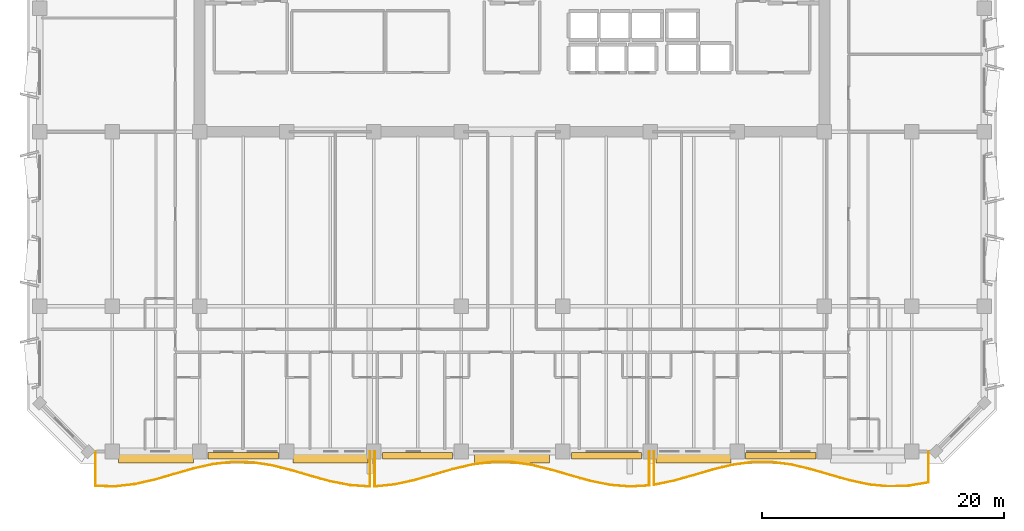
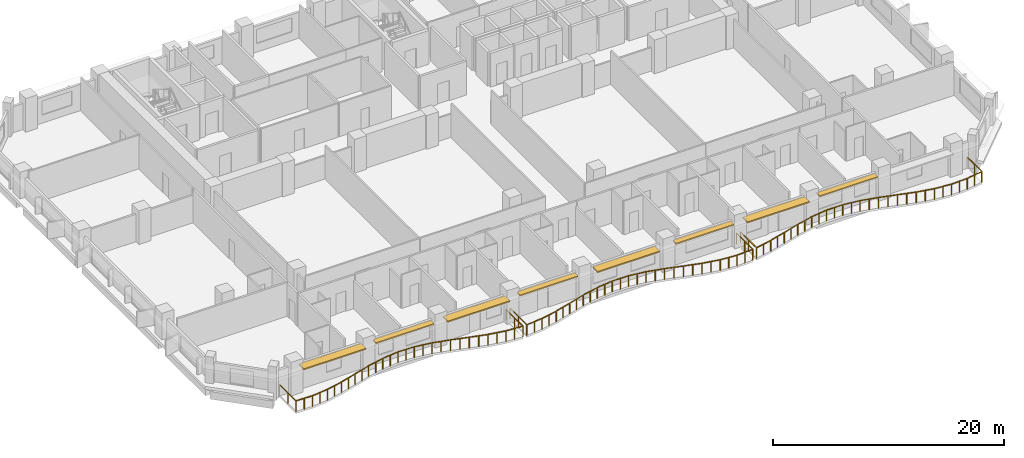
# One storey, part 11 of 15: 8 shading devices, 3 railings.
"""IFC4 building model written with IfcOpenShell, lengths in metres."""

from ifc_helpers import new_model, si_unit, direction, frame, origin, origin_2d, place, context, subcontext, project, spatial, rectangle, extrude, material, layer, layer_set, type_object, element, save


model = new_model("IFC4")

# Units and contexts
model_context = context("Model", 3, precision=1e-05, world=origin(), true_north=direction((0.0, 1.0)))
body_context = subcontext(model_context, "Body", "Model", "MODEL_VIEW")
ifc_project = project(units=[si_unit("LENGTHUNIT", "METRE"), si_unit("AREAUNIT", "SQUARE_METRE"), si_unit("VOLUMEUNIT", "CUBIC_METRE"), si_unit("PLANEANGLEUNIT", "RADIAN"), si_unit("MASSUNIT", "GRAM", prefix="KILO")], contexts=[model_context])

# Site, building, storey
site_placement = place(None, origin())
site = spatial("IfcSite", under=ifc_project, at=site_placement, CompositionType="ELEMENT")
building_placement = place(site_placement, origin())
building = spatial("IfcBuilding", under=site, at=building_placement, Name="Kaelvorn Grand Hotel", CompositionType="ELEMENT")
storey_placement = place(building_placement, frame((0.0, 0.0, 142.949951171875)))
storey = spatial("IfcBuildingStorey", under=building, at=storey_placement, Name="L34", CompositionType="ELEMENT", Elevation=142.949951171875)

# Railings
ifc_material_1 = material(Name="Stainless Steel", Category="steel")
railing_type = type_object("IfcRailingType", Name="RL-BALC-1150", PredefinedType="BALUSTRADE", material=ifc_material_1)
railing_1_placement = place(storey_placement, frame((7.60009765625, 3.0, 0.0)))
element("IfcRailing", 1, at=railing_1_placement, inside=storey, type_object=railing_type, Name="L34 Scalloped Wave Balcony Balustrade GR1-1", PredefinedType="BALUSTRADE", context=body_context, shape_type="SweptSolid", body=[
    extrude(rectangle(XDim=0.048095703125, YDim=0.048095703125, at=origin_2d()), frame((0.0, 0.0, 1.1259765625), z_axis=(0.0, -1.0, 0.0), x_axis=(1.0, 0.0, 0.0)), (0.0, 0.0, 1.0), 2.849853515625),
    extrude(rectangle(XDim=0.048095703125, YDim=0.048095703125, at=origin_2d()), frame((0.0, -2.849853515625, 1.1259765625), z_axis=(0.999730426156, -0.023217989086, 0.0), x_axis=(0.023217989086, 0.999730426156, 0.0)), (0.0, 0.0, 1.0), 1.619384765625),
    extrude(rectangle(XDim=0.048095703125, YDim=0.048095703125, at=origin_2d()), frame((1.618896484375, -2.887451171875, 1.1259765625), z_axis=(0.993682951912, 0.112223843634, 0.0), x_axis=(-0.112223843634, 0.993682951912, 0.0)), (0.0, 0.0, 1.0), 1.62939453125),
    extrude(rectangle(XDim=0.048095703125, YDim=0.048095703125, at=origin_2d()), frame((3.238037109375, -2.70458984375, 1.1259765625), z_axis=(0.975703414812, 0.219095518723, 0.0), x_axis=(-0.219095518723, 0.975703414812, 0.0)), (0.0, 0.0, 1.0), 1.6591796875),
    extrude(rectangle(XDim=0.048095703125, YDim=0.048095703125, at=origin_2d()), frame((4.85693359375, -2.341064453125, 1.1259765625), z_axis=(0.961173148549, 0.275945970271, 0.0), x_axis=(-0.275945970271, 0.961173148549, 0.0)), (0.0, 0.0, 1.0), 1.6845703125),
    extrude(rectangle(XDim=0.048095703125, YDim=0.048095703125, at=origin_2d()), frame((6.47607421875, -1.876220703125, 1.1259765625), z_axis=(0.961096237506, 0.276213725676, 0.0), x_axis=(-0.276213725676, 0.961096237506, 0.0)), (0.0, 0.0, 1.0), 1.6845703125),
    extrude(rectangle(XDim=0.048095703125, YDim=0.048095703125, at=origin_2d()), frame((8.09521484375, -1.410888671875, 1.1259765625), z_axis=(0.975640468592, 0.219375650531, 0.0), x_axis=(-0.219375650531, 0.975640468592, 0.0)), (0.0, 0.0, 1.0), 1.659423828125),
    extrude(rectangle(XDim=0.048095703125, YDim=0.048095703125, at=origin_2d()), frame((9.714111328125, -1.046875, 1.1259765625), z_axis=(0.993615946407, 0.112815562069, 0.0), x_axis=(-0.112815562069, 0.993615946407, 0.0)), (0.0, 0.0, 1.0), 1.629638671875),
    extrude(rectangle(XDim=0.048095703125, YDim=0.048095703125, at=origin_2d()), frame((11.333251953125, -0.863037109375, 1.1259765625), z_axis=(0.999747716334, -0.022461159489, 0.0), x_axis=(0.022461159489, 0.999747716334, 0.0)), (0.0, 0.0, 1.0), 1.61962890625),
    extrude(rectangle(XDim=0.048095703125, YDim=0.048095703125, at=origin_2d()), frame((12.952392578125, -0.8994140625, 1.1259765625), z_axis=(0.988375143725, -0.152034783079, 0.0), x_axis=(0.152034783079, 0.988375143725, 0.0)), (0.0, 0.0, 1.0), 1.637939453125),
    extrude(rectangle(XDim=0.048095703125, YDim=0.048095703125, at=origin_2d()), frame((14.5712890625, -1.1484375, 1.1259765625), z_axis=(0.969797453299, -0.243911663465, 0.0), x_axis=(0.243911663465, 0.969797453299, 0.0)), (0.0, 0.0, 1.0), 1.669677734375),
    extrude(rectangle(XDim=0.048095703125, YDim=0.048095703125, at=origin_2d()), frame((16.1904296875, -1.5556640625, 1.1259765625), z_axis=(0.959298669037, -0.28239345528, 0.0), x_axis=(0.28239345528, 0.959298669037, 0.0)), (0.0, 0.0, 1.0), 1.6875),
    extrude(rectangle(XDim=0.048095703125, YDim=0.048095703125, at=origin_2d()), frame((17.809326171875, -2.0322265625, 1.1259765625), z_axis=(0.964642881797, -0.26356044961, 0.0), x_axis=(0.26356044961, 0.964642881797, 0.0)), (0.0, 0.0, 1.0), 1.678466796875),
    extrude(rectangle(XDim=0.048095703125, YDim=0.048095703125, at=origin_2d()), frame((19.428466796875, -2.474609375, 1.1259765625), z_axis=(0.981934563665, -0.189220804036, 0.0), x_axis=(0.189220804036, 0.981934563665, 0.0)), (0.0, 0.0, 1.0), 1.64892578125),
    extrude(rectangle(XDim=0.048095703125, YDim=0.048095703125, at=origin_2d()), frame((21.047607421875, -2.78662109375, 1.1259765625), z_axis=(0.997560748311, -0.069803677758, 0.0), x_axis=(0.069803677758, 0.997560748311, 0.0)), (0.0, 0.0, 1.0), 1.622802734375),
    extrude(rectangle(XDim=0.048095703125, YDim=0.048095703125, at=origin_2d()), frame((22.66650390625, -2.89990234375, 1.1259765625), z_axis=(0.0, 1.0, 0.0), x_axis=(-1.0, 0.0, 0.0)), (0.0, 0.0, 1.0), 2.89990234375),
    extrude(rectangle(XDim=0.0419921875, YDim=0.0419921875, at=origin_2d()), origin(), (0.0, 0.0, 1.0), 1.101806640625),
    extrude(rectangle(XDim=0.0419921875, YDim=0.0419921875, at=origin_2d()), frame((0.0, -1.4248046875, 0.0)), (0.0, 0.0, 1.0), 1.101806640625),
    extrude(rectangle(XDim=0.0419921875, YDim=0.0419921875, at=origin_2d()), frame((0.0, -2.849853515625, 0.0)), (0.0, 0.0, 1.0), 1.101806640625),
    extrude(rectangle(XDim=0.0419921875, YDim=0.0419921875, at=origin_2d()), frame((0.8095703125, -2.86865234375, 0.0)), (0.0, 0.0, 1.0), 1.101806640625),
    extrude(rectangle(XDim=0.0419921875, YDim=0.0419921875, at=origin_2d()), frame((1.618896484375, -2.887451171875, 0.0)), (0.0, 0.0, 1.0), 1.101806640625),
    extrude(rectangle(XDim=0.0419921875, YDim=0.0419921875, at=origin_2d()), frame((2.428466796875, -2.7958984375, 0.0)), (0.0, 0.0, 1.0), 1.101806640625),
    extrude(rectangle(XDim=0.0419921875, YDim=0.0419921875, at=origin_2d()), frame((3.238037109375, -2.70458984375, 0.0)), (0.0, 0.0, 1.0), 1.101806640625),
    extrude(rectangle(XDim=0.0419921875, YDim=0.0419921875, at=origin_2d()), frame((4.04736328125, -2.52294921875, 0.0)), (0.0, 0.0, 1.0), 1.101806640625),
    extrude(rectangle(XDim=0.0419921875, YDim=0.0419921875, at=origin_2d()), frame((4.85693359375, -2.341064453125, 0.0)), (0.0, 0.0, 1.0), 1.101806640625),
    extrude(rectangle(XDim=0.0419921875, YDim=0.0419921875, at=origin_2d()), frame((5.66650390625, -2.108642578125, 0.0)), (0.0, 0.0, 1.0), 1.101806640625),
    extrude(rectangle(XDim=0.0419921875, YDim=0.0419921875, at=origin_2d()), frame((6.47607421875, -1.876220703125, 0.0)), (0.0, 0.0, 1.0), 1.101806640625),
    extrude(rectangle(XDim=0.0419921875, YDim=0.0419921875, at=origin_2d()), frame((7.28564453125, -1.6435546875, 0.0)), (0.0, 0.0, 1.0), 1.101806640625),
    extrude(rectangle(XDim=0.0419921875, YDim=0.0419921875, at=origin_2d()), frame((8.09521484375, -1.410888671875, 0.0)), (0.0, 0.0, 1.0), 1.101806640625),
    extrude(rectangle(XDim=0.0419921875, YDim=0.0419921875, at=origin_2d()), frame((8.90478515625, -1.22900390625, 0.0)), (0.0, 0.0, 1.0), 1.101806640625),
    extrude(rectangle(XDim=0.0419921875, YDim=0.0419921875, at=origin_2d()), frame((9.714111328125, -1.046875, 0.0)), (0.0, 0.0, 1.0), 1.101806640625),
    extrude(rectangle(XDim=0.0419921875, YDim=0.0419921875, at=origin_2d()), frame((10.523681640625, -0.955078125, 0.0)), (0.0, 0.0, 1.0), 1.101806640625),
    extrude(rectangle(XDim=0.0419921875, YDim=0.0419921875, at=origin_2d()), frame((11.333251953125, -0.863037109375, 0.0)), (0.0, 0.0, 1.0), 1.101806640625),
    extrude(rectangle(XDim=0.0419921875, YDim=0.0419921875, at=origin_2d()), frame((12.142822265625, -0.88134765625, 0.0)), (0.0, 0.0, 1.0), 1.101806640625),
    extrude(rectangle(XDim=0.0419921875, YDim=0.0419921875, at=origin_2d()), frame((12.952392578125, -0.8994140625, 0.0)), (0.0, 0.0, 1.0), 1.101806640625),
    extrude(rectangle(XDim=0.0419921875, YDim=0.0419921875, at=origin_2d()), frame((13.76171875, -1.02392578125, 0.0)), (0.0, 0.0, 1.0), 1.101806640625),
    extrude(rectangle(XDim=0.0419921875, YDim=0.0419921875, at=origin_2d()), frame((14.5712890625, -1.1484375, 0.0)), (0.0, 0.0, 1.0), 1.101806640625),
    extrude(rectangle(XDim=0.0419921875, YDim=0.0419921875, at=origin_2d()), frame((15.380859375, -1.35205078125, 0.0)), (0.0, 0.0, 1.0), 1.101806640625),
    extrude(rectangle(XDim=0.0419921875, YDim=0.0419921875, at=origin_2d()), frame((16.1904296875, -1.5556640625, 0.0)), (0.0, 0.0, 1.0), 1.101806640625),
    extrude(rectangle(XDim=0.0419921875, YDim=0.0419921875, at=origin_2d()), frame((17.0, -1.7939453125, 0.0)), (0.0, 0.0, 1.0), 1.101806640625),
    extrude(rectangle(XDim=0.0419921875, YDim=0.0419921875, at=origin_2d()), frame((17.809326171875, -2.0322265625, 0.0)), (0.0, 0.0, 1.0), 1.101806640625),
    extrude(rectangle(XDim=0.0419921875, YDim=0.0419921875, at=origin_2d()), frame((18.618896484375, -2.25341796875, 0.0)), (0.0, 0.0, 1.0), 1.101806640625),
    extrude(rectangle(XDim=0.0419921875, YDim=0.0419921875, at=origin_2d()), frame((19.428466796875, -2.474609375, 0.0)), (0.0, 0.0, 1.0), 1.101806640625),
    extrude(rectangle(XDim=0.0419921875, YDim=0.0419921875, at=origin_2d()), frame((20.238037109375, -2.630615234375, 0.0)), (0.0, 0.0, 1.0), 1.101806640625),
    extrude(rectangle(XDim=0.0419921875, YDim=0.0419921875, at=origin_2d()), frame((21.047607421875, -2.78662109375, 0.0)), (0.0, 0.0, 1.0), 1.101806640625),
    extrude(rectangle(XDim=0.0419921875, YDim=0.0419921875, at=origin_2d()), frame((21.85693359375, -2.84326171875, 0.0)), (0.0, 0.0, 1.0), 1.101806640625),
    extrude(rectangle(XDim=0.0419921875, YDim=0.0419921875, at=origin_2d()), frame((22.66650390625, -2.89990234375, 0.0)), (0.0, 0.0, 1.0), 1.101806640625),
    extrude(rectangle(XDim=0.0419921875, YDim=0.0419921875, at=origin_2d()), frame((22.66650390625, -1.449951171875, 0.0)), (0.0, 0.0, 1.0), 1.101806640625),
    extrude(rectangle(XDim=0.0419921875, YDim=0.0419921875, at=origin_2d()), frame((22.66650390625, 0.0, 0.0)), (0.0, 0.0, 1.0), 1.101806640625),
])
railing_2_placement = place(storey_placement, frame((30.666748046875, 3.0, 0.0)))
element("IfcRailing", 2, at=railing_2_placement, inside=storey, type_object=railing_type, Name="L34 Scalloped Wave Balcony Balustrade GR1-2", PredefinedType="BALUSTRADE", context=body_context, shape_type="SweptSolid", body=[
    extrude(rectangle(XDim=0.048095703125, YDim=0.048095703125, at=origin_2d()), frame((0.0, 0.0, 1.1259765625), z_axis=(0.0, -1.0, 0.0), x_axis=(1.0, 0.0, 0.0)), (0.0, 0.0, 1.0), 2.8935546875),
    extrude(rectangle(XDim=0.048095703125, YDim=0.048095703125, at=origin_2d()), frame((0.0, -2.8935546875, 1.1259765625), z_axis=(0.994964128671, 0.100231644994, 0.0), x_axis=(-0.100231644994, 0.994964128671, 0.0)), (0.0, 0.0, 1.0), 1.627197265625),
    extrude(rectangle(XDim=0.048095703125, YDim=0.048095703125, at=origin_2d()), frame((1.618896484375, -2.73046875, 1.1259765625), z_axis=(0.977503767455, 0.210917957061, 0.0), x_axis=(-0.210917957061, 0.977503767455, 0.0)), (0.0, 0.0, 1.0), 1.656494140625),
    extrude(rectangle(XDim=0.048095703125, YDim=0.048095703125, at=origin_2d()), frame((3.238037109375, -2.381103515625, 1.1259765625), z_axis=(0.962015046514, 0.272996429062, 0.0), x_axis=(-0.272996429062, 0.962015046514, 0.0)), (0.0, 0.0, 1.0), 1.68310546875),
    extrude(rectangle(XDim=0.048095703125, YDim=0.048095703125, at=origin_2d()), frame((4.857177734375, -1.921630859375, 1.1259765625), z_axis=(0.960389998509, 0.278659381259, 0.0), x_axis=(-0.278659381259, 0.960389998509, 0.0)), (0.0, 0.0, 1.0), 1.685546875),
    extrude(rectangle(XDim=0.048095703125, YDim=0.048095703125, at=origin_2d()), frame((6.47607421875, -1.451904296875, 1.1259765625), z_axis=(0.97385637145, 0.227164627056, 0.0), x_axis=(-0.227164627056, 0.97385637145, 0.0)), (0.0, 0.0, 1.0), 1.66259765625),
    extrude(rectangle(XDim=0.048095703125, YDim=0.048095703125, at=origin_2d()), frame((8.09521484375, -1.07421875, 1.1259765625), z_axis=(0.992220218526, 0.124495132229, 0.0), x_axis=(-0.124495132229, 0.992220218526, 0.0)), (0.0, 0.0, 1.0), 1.631591796875),
    extrude(rectangle(XDim=0.048095703125, YDim=0.048095703125, at=origin_2d()), frame((9.714111328125, -0.87109375, 1.1259765625), z_axis=(0.999954883783, -0.009498968287, 0.0), x_axis=(0.009498968287, 0.999954883783, 0.0)), (0.0, 0.0, 1.0), 1.619140625),
    extrude(rectangle(XDim=0.048095703125, YDim=0.048095703125, at=origin_2d()), frame((11.333251953125, -0.886474609375, 1.1259765625), z_axis=(0.990000183839, -0.141066069621, 0.0), x_axis=(0.141066069621, 0.990000183839, 0.0)), (0.0, 0.0, 1.0), 1.635498046875),
    extrude(rectangle(XDim=0.048095703125, YDim=0.048095703125, at=origin_2d()), frame((12.952392578125, -1.1171875, 1.1259765625), z_axis=(0.971429786171, -0.237327138229, 0.0), x_axis=(0.237327138229, 0.971429786171, 0.0)), (0.0, 0.0, 1.0), 1.66650390625),
    extrude(rectangle(XDim=0.048095703125, YDim=0.048095703125, at=origin_2d()), frame((14.5712890625, -1.5126953125, 1.1259765625), z_axis=(0.959623156728, -0.281288814337, 0.0), x_axis=(0.281288814337, 0.959623156728, 0.0)), (0.0, 0.0, 1.0), 1.687255859375),
    extrude(rectangle(XDim=0.048095703125, YDim=0.048095703125, at=origin_2d()), frame((16.1904296875, -1.9873046875, 1.1259765625), z_axis=(0.963478347778, -0.267786245657, 0.0), x_axis=(0.267786245657, 0.963478347778, 0.0)), (0.0, 0.0, 1.0), 1.68017578125),
    extrude(rectangle(XDim=0.048095703125, YDim=0.048095703125, at=origin_2d()), frame((17.809326171875, -2.437255859375, 1.1259765625), z_axis=(0.980134803691, -0.1983324648, 0.0), x_axis=(0.1983324648, 0.980134803691, 0.0)), (0.0, 0.0, 1.0), 1.65185546875),
    extrude(rectangle(XDim=0.048095703125, YDim=0.048095703125, at=origin_2d()), frame((19.428466796875, -2.764892578125, 1.1259765625), z_axis=(0.996591207216, -0.082498276954, 0.0), x_axis=(0.082498276954, 0.996591207216, 0.0)), (0.0, 0.0, 1.0), 1.624755859375),
    extrude(rectangle(XDim=0.048095703125, YDim=0.048095703125, at=origin_2d()), frame((21.047607421875, -2.89892578125, 1.1259765625), z_axis=(0.998488486101, 0.054961287502, 0.0), x_axis=(-0.054961287502, 0.998488486101, 0.0)), (0.0, 0.0, 1.0), 1.621337890625),
    extrude(rectangle(XDim=0.048095703125, YDim=0.048095703125, at=origin_2d()), frame((22.66650390625, -2.809814453125, 1.1259765625), z_axis=(0.0, 1.0, 0.0), x_axis=(-1.0, 0.0, 0.0)), (0.0, 0.0, 1.0), 2.809814453125),
    extrude(rectangle(XDim=0.0419921875, YDim=0.0419921875, at=origin_2d()), origin(), (0.0, 0.0, 1.0), 1.101806640625),
    extrude(rectangle(XDim=0.0419921875, YDim=0.0419921875, at=origin_2d()), frame((0.0, -1.44677734375, 0.0)), (0.0, 0.0, 1.0), 1.101806640625),
    extrude(rectangle(XDim=0.0419921875, YDim=0.0419921875, at=origin_2d()), frame((0.0, -2.8935546875, 0.0)), (0.0, 0.0, 1.0), 1.101806640625),
    extrude(rectangle(XDim=0.0419921875, YDim=0.0419921875, at=origin_2d()), frame((0.8095703125, -2.81201171875, 0.0)), (0.0, 0.0, 1.0), 1.101806640625),
    extrude(rectangle(XDim=0.0419921875, YDim=0.0419921875, at=origin_2d()), frame((1.618896484375, -2.73046875, 0.0)), (0.0, 0.0, 1.0), 1.101806640625),
    extrude(rectangle(XDim=0.0419921875, YDim=0.0419921875, at=origin_2d()), frame((2.428466796875, -2.5556640625, 0.0)), (0.0, 0.0, 1.0), 1.101806640625),
    extrude(rectangle(XDim=0.0419921875, YDim=0.0419921875, at=origin_2d()), frame((3.238037109375, -2.381103515625, 0.0)), (0.0, 0.0, 1.0), 1.101806640625),
    extrude(rectangle(XDim=0.0419921875, YDim=0.0419921875, at=origin_2d()), frame((4.047607421875, -2.1513671875, 0.0)), (0.0, 0.0, 1.0), 1.101806640625),
    extrude(rectangle(XDim=0.0419921875, YDim=0.0419921875, at=origin_2d()), frame((4.857177734375, -1.921630859375, 0.0)), (0.0, 0.0, 1.0), 1.101806640625),
    extrude(rectangle(XDim=0.0419921875, YDim=0.0419921875, at=origin_2d()), frame((5.66650390625, -1.686767578125, 0.0)), (0.0, 0.0, 1.0), 1.101806640625),
    extrude(rectangle(XDim=0.0419921875, YDim=0.0419921875, at=origin_2d()), frame((6.47607421875, -1.451904296875, 0.0)), (0.0, 0.0, 1.0), 1.101806640625),
    extrude(rectangle(XDim=0.0419921875, YDim=0.0419921875, at=origin_2d()), frame((7.28564453125, -1.26318359375, 0.0)), (0.0, 0.0, 1.0), 1.101806640625),
    extrude(rectangle(XDim=0.0419921875, YDim=0.0419921875, at=origin_2d()), frame((8.09521484375, -1.07421875, 0.0)), (0.0, 0.0, 1.0), 1.101806640625),
    extrude(rectangle(XDim=0.0419921875, YDim=0.0419921875, at=origin_2d()), frame((8.90478515625, -0.97265625, 0.0)), (0.0, 0.0, 1.0), 1.101806640625),
    extrude(rectangle(XDim=0.0419921875, YDim=0.0419921875, at=origin_2d()), frame((9.714111328125, -0.87109375, 0.0)), (0.0, 0.0, 1.0), 1.101806640625),
    extrude(rectangle(XDim=0.0419921875, YDim=0.0419921875, at=origin_2d()), frame((10.523681640625, -0.87890625, 0.0)), (0.0, 0.0, 1.0), 1.101806640625),
    extrude(rectangle(XDim=0.0419921875, YDim=0.0419921875, at=origin_2d()), frame((11.333251953125, -0.886474609375, 0.0)), (0.0, 0.0, 1.0), 1.101806640625),
    extrude(rectangle(XDim=0.0419921875, YDim=0.0419921875, at=origin_2d()), frame((12.142822265625, -1.001953125, 0.0)), (0.0, 0.0, 1.0), 1.101806640625),
    extrude(rectangle(XDim=0.0419921875, YDim=0.0419921875, at=origin_2d()), frame((12.952392578125, -1.1171875, 0.0)), (0.0, 0.0, 1.0), 1.101806640625),
    extrude(rectangle(XDim=0.0419921875, YDim=0.0419921875, at=origin_2d()), frame((13.76171875, -1.31494140625, 0.0)), (0.0, 0.0, 1.0), 1.101806640625),
    extrude(rectangle(XDim=0.0419921875, YDim=0.0419921875, at=origin_2d()), frame((14.5712890625, -1.5126953125, 0.0)), (0.0, 0.0, 1.0), 1.101806640625),
    extrude(rectangle(XDim=0.0419921875, YDim=0.0419921875, at=origin_2d()), frame((15.380859375, -1.75, 0.0)), (0.0, 0.0, 1.0), 1.101806640625),
    extrude(rectangle(XDim=0.0419921875, YDim=0.0419921875, at=origin_2d()), frame((16.1904296875, -1.9873046875, 0.0)), (0.0, 0.0, 1.0), 1.101806640625),
    extrude(rectangle(XDim=0.0419921875, YDim=0.0419921875, at=origin_2d()), frame((17.0, -2.21240234375, 0.0)), (0.0, 0.0, 1.0), 1.101806640625),
    extrude(rectangle(XDim=0.0419921875, YDim=0.0419921875, at=origin_2d()), frame((17.809326171875, -2.437255859375, 0.0)), (0.0, 0.0, 1.0), 1.101806640625),
    extrude(rectangle(XDim=0.0419921875, YDim=0.0419921875, at=origin_2d()), frame((18.618896484375, -2.60107421875, 0.0)), (0.0, 0.0, 1.0), 1.101806640625),
    extrude(rectangle(XDim=0.0419921875, YDim=0.0419921875, at=origin_2d()), frame((19.428466796875, -2.764892578125, 0.0)), (0.0, 0.0, 1.0), 1.101806640625),
    extrude(rectangle(XDim=0.0419921875, YDim=0.0419921875, at=origin_2d()), frame((20.238037109375, -2.83203125, 0.0)), (0.0, 0.0, 1.0), 1.101806640625),
    extrude(rectangle(XDim=0.0419921875, YDim=0.0419921875, at=origin_2d()), frame((21.047607421875, -2.89892578125, 0.0)), (0.0, 0.0, 1.0), 1.101806640625),
    extrude(rectangle(XDim=0.0419921875, YDim=0.0419921875, at=origin_2d()), frame((21.85693359375, -2.8544921875, 0.0)), (0.0, 0.0, 1.0), 1.101806640625),
    extrude(rectangle(XDim=0.0419921875, YDim=0.0419921875, at=origin_2d()), frame((22.66650390625, -2.809814453125, 0.0)), (0.0, 0.0, 1.0), 1.101806640625),
    extrude(rectangle(XDim=0.0419921875, YDim=0.0419921875, at=origin_2d()), frame((22.66650390625, -1.40478515625, 0.0)), (0.0, 0.0, 1.0), 1.101806640625),
    extrude(rectangle(XDim=0.0419921875, YDim=0.0419921875, at=origin_2d()), frame((22.66650390625, 0.0, 0.0)), (0.0, 0.0, 1.0), 1.101806640625),
])
railing_3_placement = place(storey_placement, frame((53.7333984375, 3.0, 0.0)))
element("IfcRailing", 3, at=railing_3_placement, inside=storey, type_object=railing_type, Name="L34 Scalloped Wave Balcony Balustrade GR1-3", PredefinedType="BALUSTRADE", context=body_context, shape_type="SweptSolid", body=[
    extrude(rectangle(XDim=0.048095703125, YDim=0.048095703125, at=origin_2d()), frame((0.0, 0.0, 1.1259765625), z_axis=(0.0, -1.0, 0.0), x_axis=(1.0, 0.0, 0.0)), (0.0, 0.0, 1.0), 2.754638671875),
    extrude(rectangle(XDim=0.048095703125, YDim=0.048095703125, at=origin_2d()), frame((0.0, -2.754638671875, 1.1259765625), z_axis=(0.979316964053, 0.202332112917, 0.0), x_axis=(-0.202332112917, 0.979316964053, 0.0)), (0.0, 0.0, 1.0), 1.653076171875),
    extrude(rectangle(XDim=0.048095703125, YDim=0.048095703125, at=origin_2d()), frame((1.618896484375, -2.420166015625, 1.1259765625), z_axis=(0.962962511693, 0.269635311251, 0.0), x_axis=(-0.269635311251, 0.962962511693, 0.0)), (0.0, 0.0, 1.0), 1.681396484375),
    extrude(rectangle(XDim=0.048095703125, YDim=0.048095703125, at=origin_2d()), frame((3.238037109375, -1.966796875, 1.1259765625), z_axis=(0.959857228362, 0.280489039289, 0.0), x_axis=(-0.280489039289, 0.959857228362, 0.0)), (0.0, 0.0, 1.0), 1.686767578125),
    extrude(rectangle(XDim=0.048095703125, YDim=0.048095703125, at=origin_2d()), frame((4.857177734375, -1.49365234375, 1.1259765625), z_axis=(0.972168625769, 0.234282229525, 0.0), x_axis=(-0.234282229525, 0.972168625769, 0.0)), (0.0, 0.0, 1.0), 1.665283203125),
    extrude(rectangle(XDim=0.048095703125, YDim=0.048095703125, at=origin_2d()), frame((6.47607421875, -1.103515625, 1.1259765625), z_axis=(0.99071710319, 0.135939771397, 0.0), x_axis=(-0.135939771397, 0.99071710319, 0.0)), (0.0, 0.0, 1.0), 1.63427734375),
    extrude(rectangle(XDim=0.048095703125, YDim=0.048095703125, at=origin_2d()), frame((8.09521484375, -0.88134765625, 1.1259765625), z_axis=(0.999993450168, 0.003619339889, 0.0), x_axis=(-0.003619339889, 0.999993450168, 0.0)), (0.0, 0.0, 1.0), 1.618896484375),
    extrude(rectangle(XDim=0.048095703125, YDim=0.048095703125, at=origin_2d()), frame((9.714111328125, -0.87548828125, 1.1259765625), z_axis=(0.991562852546, -0.129626808377, 0.0), x_axis=(0.129626808377, 0.991562852546, 0.0)), (0.0, 0.0, 1.0), 1.6328125),
    extrude(rectangle(XDim=0.048095703125, YDim=0.048095703125, at=origin_2d()), frame((11.333251953125, -1.087158203125, 1.1259765625), z_axis=(0.973071627699, -0.230502944378, 0.0), x_axis=(0.230502944378, 0.973071627699, 0.0)), (0.0, 0.0, 1.0), 1.6640625),
    extrude(rectangle(XDim=0.048095703125, YDim=0.048095703125, at=origin_2d()), frame((12.952392578125, -1.470703125, 1.1259765625), z_axis=(0.960157157306, -0.279460611311, 0.0), x_axis=(0.279460611311, 0.960157157306, 0.0)), (0.0, 0.0, 1.0), 1.68603515625),
    extrude(rectangle(XDim=0.048095703125, YDim=0.048095703125, at=origin_2d()), frame((14.5712890625, -1.94189453125, 1.1259765625), z_axis=(0.962433147184, -0.271518760311, 0.0), x_axis=(0.271518760311, 0.962433147184, 0.0)), (0.0, 0.0, 1.0), 1.682373046875),
    extrude(rectangle(XDim=0.048095703125, YDim=0.048095703125, at=origin_2d()), frame((16.1904296875, -2.398681640625, 1.1259765625), z_axis=(0.978317525264, -0.207110646181, 0.0), x_axis=(0.207110646181, 0.978317525264, 0.0)), (0.0, 0.0, 1.0), 1.655029296875),
    extrude(rectangle(XDim=0.048095703125, YDim=0.048095703125, at=origin_2d()), frame((17.8095703125, -2.741455078125, 1.1259765625), z_axis=(0.995502891633, -0.094731160401, 0.0), x_axis=(0.094731160401, 0.995502891633, 0.0)), (0.0, 0.0, 1.0), 1.626220703125),
    extrude(rectangle(XDim=0.048095703125, YDim=0.048095703125, at=origin_2d()), frame((19.428466796875, -2.8955078125, 1.1259765625), z_axis=(0.999116282636, 0.042031580648, 0.0), x_axis=(-0.042031580648, 0.999116282636, 0.0)), (0.0, 0.0, 1.0), 1.62060546875),
    extrude(rectangle(XDim=0.048095703125, YDim=0.048095703125, at=origin_2d()), frame((21.047607421875, -2.827392578125, 1.1259765625), z_axis=(0.985837909177, 0.167700974446, 0.0), x_axis=(-0.167700974446, 0.985837909177, 0.0)), (0.0, 0.0, 1.0), 1.64208984375),
    extrude(rectangle(XDim=0.048095703125, YDim=0.048095703125, at=origin_2d()), frame((22.66650390625, -2.552001953125, 1.1259765625), z_axis=(0.0, 1.0, 0.0), x_axis=(-1.0, 0.0, 0.0)), (0.0, 0.0, 1.0), 2.552001953125),
    extrude(rectangle(XDim=0.0419921875, YDim=0.0419921875, at=origin_2d()), origin(), (0.0, 0.0, 1.0), 1.101806640625),
    extrude(rectangle(XDim=0.0419921875, YDim=0.0419921875, at=origin_2d()), frame((0.0, -1.37744140625, 0.0)), (0.0, 0.0, 1.0), 1.101806640625),
    extrude(rectangle(XDim=0.0419921875, YDim=0.0419921875, at=origin_2d()), frame((0.0, -2.754638671875, 0.0)), (0.0, 0.0, 1.0), 1.101806640625),
    extrude(rectangle(XDim=0.0419921875, YDim=0.0419921875, at=origin_2d()), frame((0.8095703125, -2.58740234375, 0.0)), (0.0, 0.0, 1.0), 1.101806640625),
    extrude(rectangle(XDim=0.0419921875, YDim=0.0419921875, at=origin_2d()), frame((1.618896484375, -2.420166015625, 0.0)), (0.0, 0.0, 1.0), 1.101806640625),
    extrude(rectangle(XDim=0.0419921875, YDim=0.0419921875, at=origin_2d()), frame((2.428466796875, -2.193359375, 0.0)), (0.0, 0.0, 1.0), 1.101806640625),
    extrude(rectangle(XDim=0.0419921875, YDim=0.0419921875, at=origin_2d()), frame((3.238037109375, -1.966796875, 0.0)), (0.0, 0.0, 1.0), 1.101806640625),
    extrude(rectangle(XDim=0.0419921875, YDim=0.0419921875, at=origin_2d()), frame((4.047607421875, -1.730224609375, 0.0)), (0.0, 0.0, 1.0), 1.101806640625),
    extrude(rectangle(XDim=0.0419921875, YDim=0.0419921875, at=origin_2d()), frame((4.857177734375, -1.49365234375, 0.0)), (0.0, 0.0, 1.0), 1.101806640625),
    extrude(rectangle(XDim=0.0419921875, YDim=0.0419921875, at=origin_2d()), frame((5.66650390625, -1.298583984375, 0.0)), (0.0, 0.0, 1.0), 1.101806640625),
    extrude(rectangle(XDim=0.0419921875, YDim=0.0419921875, at=origin_2d()), frame((6.47607421875, -1.103515625, 0.0)), (0.0, 0.0, 1.0), 1.101806640625),
    extrude(rectangle(XDim=0.0419921875, YDim=0.0419921875, at=origin_2d()), frame((7.28564453125, -0.992431640625, 0.0)), (0.0, 0.0, 1.0), 1.101806640625),
    extrude(rectangle(XDim=0.0419921875, YDim=0.0419921875, at=origin_2d()), frame((8.09521484375, -0.88134765625, 0.0)), (0.0, 0.0, 1.0), 1.101806640625),
    extrude(rectangle(XDim=0.0419921875, YDim=0.0419921875, at=origin_2d()), frame((8.90478515625, -0.87841796875, 0.0)), (0.0, 0.0, 1.0), 1.101806640625),
    extrude(rectangle(XDim=0.0419921875, YDim=0.0419921875, at=origin_2d()), frame((9.714111328125, -0.87548828125, 0.0)), (0.0, 0.0, 1.0), 1.101806640625),
    extrude(rectangle(XDim=0.0419921875, YDim=0.0419921875, at=origin_2d()), frame((10.523681640625, -0.9814453125, 0.0)), (0.0, 0.0, 1.0), 1.101806640625),
    extrude(rectangle(XDim=0.0419921875, YDim=0.0419921875, at=origin_2d()), frame((11.333251953125, -1.087158203125, 0.0)), (0.0, 0.0, 1.0), 1.101806640625),
    extrude(rectangle(XDim=0.0419921875, YDim=0.0419921875, at=origin_2d()), frame((12.142822265625, -1.27880859375, 0.0)), (0.0, 0.0, 1.0), 1.101806640625),
    extrude(rectangle(XDim=0.0419921875, YDim=0.0419921875, at=origin_2d()), frame((12.952392578125, -1.470703125, 0.0)), (0.0, 0.0, 1.0), 1.101806640625),
    extrude(rectangle(XDim=0.0419921875, YDim=0.0419921875, at=origin_2d()), frame((13.76171875, -1.706298828125, 0.0)), (0.0, 0.0, 1.0), 1.101806640625),
    extrude(rectangle(XDim=0.0419921875, YDim=0.0419921875, at=origin_2d()), frame((14.5712890625, -1.94189453125, 0.0)), (0.0, 0.0, 1.0), 1.101806640625),
    extrude(rectangle(XDim=0.0419921875, YDim=0.0419921875, at=origin_2d()), frame((15.380859375, -2.17041015625, 0.0)), (0.0, 0.0, 1.0), 1.101806640625),
    extrude(rectangle(XDim=0.0419921875, YDim=0.0419921875, at=origin_2d()), frame((16.1904296875, -2.398681640625, 0.0)), (0.0, 0.0, 1.0), 1.101806640625),
    extrude(rectangle(XDim=0.0419921875, YDim=0.0419921875, at=origin_2d()), frame((17.0, -2.570068359375, 0.0)), (0.0, 0.0, 1.0), 1.101806640625),
    extrude(rectangle(XDim=0.0419921875, YDim=0.0419921875, at=origin_2d()), frame((17.8095703125, -2.741455078125, 0.0)), (0.0, 0.0, 1.0), 1.101806640625),
    extrude(rectangle(XDim=0.0419921875, YDim=0.0419921875, at=origin_2d()), frame((18.619140625, -2.818359375, 0.0)), (0.0, 0.0, 1.0), 1.101806640625),
    extrude(rectangle(XDim=0.0419921875, YDim=0.0419921875, at=origin_2d()), frame((19.428466796875, -2.8955078125, 0.0)), (0.0, 0.0, 1.0), 1.101806640625),
    extrude(rectangle(XDim=0.0419921875, YDim=0.0419921875, at=origin_2d()), frame((20.238037109375, -2.861328125, 0.0)), (0.0, 0.0, 1.0), 1.101806640625),
    extrude(rectangle(XDim=0.0419921875, YDim=0.0419921875, at=origin_2d()), frame((21.047607421875, -2.827392578125, 0.0)), (0.0, 0.0, 1.0), 1.101806640625),
    extrude(rectangle(XDim=0.0419921875, YDim=0.0419921875, at=origin_2d()), frame((21.85693359375, -2.689697265625, 0.0)), (0.0, 0.0, 1.0), 1.101806640625),
    extrude(rectangle(XDim=0.0419921875, YDim=0.0419921875, at=origin_2d()), frame((22.66650390625, -2.552001953125, 0.0)), (0.0, 0.0, 1.0), 1.101806640625),
    extrude(rectangle(XDim=0.0419921875, YDim=0.0419921875, at=origin_2d()), frame((22.66650390625, -1.27587890625, 0.0)), (0.0, 0.0, 1.0), 1.101806640625),
    extrude(rectangle(XDim=0.0419921875, YDim=0.0419921875, at=origin_2d()), frame((22.66650390625, 0.0, 0.0)), (0.0, 0.0, 1.0), 1.101806640625),
])

# Shading devices
ifc_material_2 = material(Name="Precast concrete C45/55", Category="concrete")
ifc_layer_1 = layer(ifc_material_2, 0.1201171875)
ifc_layer_set_1 = layer_set([ifc_layer_1], Name="Precast concrete C45/55")
shading_device_type_1 = type_object("IfcShadingDeviceType", Name="SHD-SUNSHADE-550", PredefinedType="USERDEFINED", material=ifc_layer_set_1)
for number, where, z_axis, x_axis, name in (
    (4, (19.800048828125, 2.64501953125, 2.56005859375), (0.0, 0.0, 1.0), (1.0, 0.0, 0.0), "L34 Horizontal Concrete Sunshade Band SS-03"),
    (5, (34.199951171875, 2.64501953125, 2.56005859375), (0.0, 0.0, 1.0), (1.0, 0.0, 0.0), "L34 Horizontal Concrete Sunshade Band SS-05"),
    (6, (49.800048828125, 2.64501953125, 2.56005859375), (0.0, 0.0, 1.0), (1.0, 0.0, 0.0), "L34 Horizontal Concrete Sunshade Band SS-07"),
    (7, (64.199951171875, 2.64501953125, 2.56005859375), (0.0, 0.0, 1.0), (1.0, 0.0, 0.0), "L34 Horizontal Concrete Sunshade Band SS-09"),
):
    element("IfcShadingDevice", number, at=place(storey_placement, frame(where, z_axis=z_axis, x_axis=x_axis)), inside=storey, type_object=shading_device_type_1, Name=name, ObjectType="SUNSHADE", PredefinedType="USERDEFINED", context=body_context, shape_type="SweptSolid", body=[
        extrude(rectangle(XDim=5.800048828125, YDim=0.550048828125, at=origin_2d()), origin(), (0.0, 0.0, 1.0), 0.1201171875),
    ])
ifc_layer_2 = layer(ifc_material_2, 0.139892578125)
ifc_layer_set_2 = layer_set([ifc_layer_2], Name="Precast concrete C45/55")
shading_device_type_2 = type_object("IfcShadingDeviceType", Name="SHD-SUNSHADE-850", PredefinedType="USERDEFINED", material=ifc_layer_set_2)
for number, where, z_axis, x_axis, name in (
    (8, (12.60009765625, 2.4951171875, 2.55029296875), (0.0, 0.0, 1.0), (1.0, 0.0, 0.0), "L34 Horizontal Concrete Sunshade Band SS-02"),
    (9, (27.0, 2.4951171875, 2.55029296875), (0.0, 0.0, 1.0), (1.0, 0.0, 0.0), "L34 Horizontal Concrete Sunshade Band SS-04"),
    (10, (42.0, 2.4951171875, 2.55029296875), (0.0, 0.0, 1.0), (1.0, 0.0, 0.0), "L34 Horizontal Concrete Sunshade Band SS-06"),
    (11, (57.0, 2.4951171875, 2.55029296875), (0.0, 0.0, 1.0), (1.0, 0.0, 0.0), "L34 Horizontal Concrete Sunshade Band SS-08"),
):
    element("IfcShadingDevice", number, at=place(storey_placement, frame(where, z_axis=z_axis, x_axis=x_axis)), inside=storey, type_object=shading_device_type_2, Name=name, ObjectType="SUNSHADE", PredefinedType="USERDEFINED", context=body_context, shape_type="SweptSolid", body=[
        extrude(rectangle(XDim=6.199951171875, YDim=0.85009765625, at=origin_2d()), origin(), (0.0, 0.0, 1.0), 0.139892578125),
    ])

save(model, "model.ifc")
